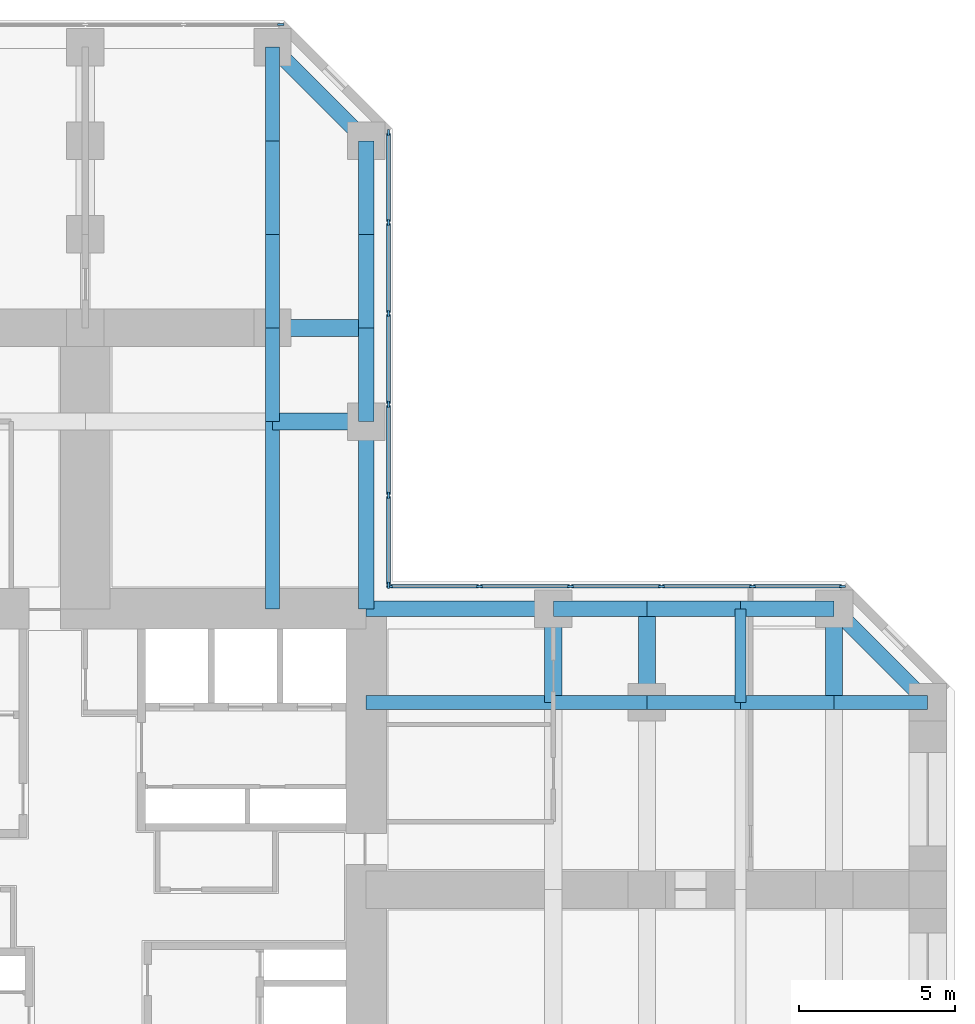
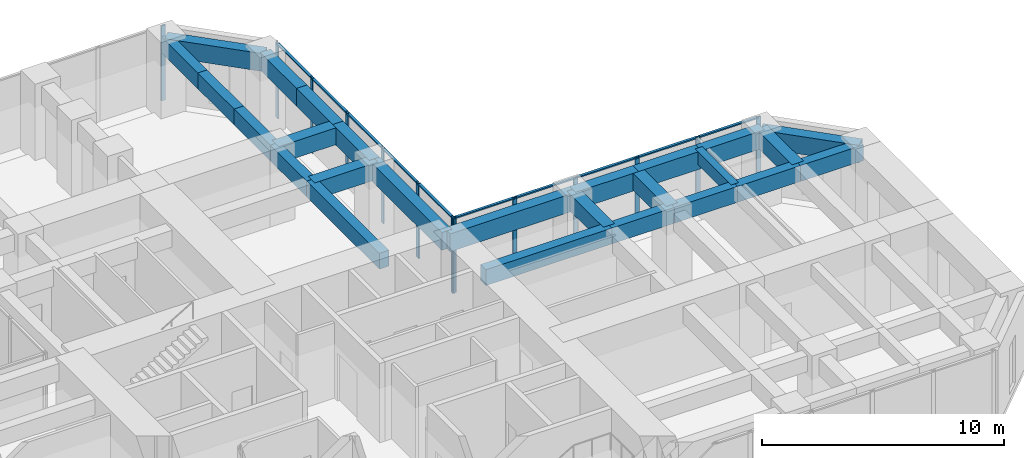
# One storey, part 6 of 12: 26 beams, 23 members, 3 elements without a shape of their own.
"""IFC4 building model written with IfcOpenShell, lengths in metres."""

from ifc_helpers import new_model, si_unit, direction, frame, origin, origin_2d, place, context, subcontext, project, spatial, rectangle, extrude, material, material_profile, profile_set, type_object, element, aggregate, save


model = new_model("IFC4")

# Units and contexts
model_context = context("Model", 3, precision=1e-05, world=origin(), true_north=direction((0.0, 1.0)))
body_context = subcontext(model_context, "Body", "Model", "MODEL_VIEW")
ifc_project = project(units=[si_unit("LENGTHUNIT", "METRE"), si_unit("AREAUNIT", "SQUARE_METRE"), si_unit("VOLUMEUNIT", "CUBIC_METRE"), si_unit("PLANEANGLEUNIT", "RADIAN"), si_unit("MASSUNIT", "GRAM", prefix="KILO")], contexts=[model_context])

# Site, building, storey
site_placement = place(None, origin())
site = spatial("IfcSite", under=ifc_project, at=site_placement, CompositionType="ELEMENT")
building_placement = place(site_placement, origin())
building = spatial("IfcBuilding", under=site, at=building_placement, Name="Torre Cruceta", CompositionType="ELEMENT")
storey_placement = place(building_placement, frame((0.0, 0.0, 67.5)))
storey = spatial("IfcBuildingStorey", under=building, at=storey_placement, Name="L16", CompositionType="ELEMENT", Elevation=67.5)

# Beams
ifc_material_1 = material(Name="Concrete G60 (fck 60 MPa)", Category="concrete")
ifc_material_profile_1 = material_profile(ifc_material_1, rectangle(XDim=0.449951171875, YDim=0.800048828125, at=origin_2d()), Name="RC 450X800")
ifc_profile_set_1 = profile_set([ifc_material_profile_1], Name="Concrete G60 (fck 60 MPa)")
beam_type_1 = type_object("IfcBeamType", Name="COLUMN LINE BEAM RC 450X800", PredefinedType="BEAM", material=ifc_profile_set_1)
beam_1_placement = place(storey_placement, frame((6.0, 9.0, 3.39990234375), z_axis=(0.0, 1.0, 0.0), x_axis=(-1.0, 0.0, 0.0)))
element("IfcBeam", 1, at=beam_1_placement, inside=storey, type_object=beam_type_1, Name="LB1 L16 N col- 1", PredefinedType="BEAM", context=body_context, shape_type="SweptSolid", body=[
    extrude(rectangle(XDim=0.449951171875, YDim=0.800048828125, at=origin_2d()), origin(), (0.0, 0.0, 1.0), 6.0),
])
for number, where, z_axis, x_axis, name in (
    (2, (6.0, 15.0, 3.39990234375), (0.0, 1.0, 0.0), (-1.0, 0.0, 0.0), "LB1 L16 N col- 2"),
    (3, (6.0, 18.0, 3.39990234375), (0.0, 1.0, 0.0), (-1.0, 0.0, 0.0), "LB1 L16 N col- 3"),
    (4, (6.0, 21.0, 3.39990234375), (0.0, 1.0, 0.0), (-1.0, 0.0, 0.0), "LB1 L16 N col- 4"),
    (5, (6.0, 24.0, 3.39990234375), (0.0, 1.0, 0.0), (-1.0, 0.0, 0.0), "LB1 L16 N col- 5"),
):
    element("IfcBeam", number, at=place(storey_placement, frame(where, z_axis=z_axis, x_axis=x_axis)), inside=storey, type_object=beam_type_1, Name=name, PredefinedType="BEAM", context=body_context, shape_type="SweptSolid", body=[
        extrude(rectangle(XDim=0.449951171875, YDim=0.800048828125, at=origin_2d()), origin(), (0.0, 0.0, 1.0), 3.0),
    ])
beam_2_placement = place(storey_placement, frame((9.0, 6.0, 3.39990234375), z_axis=(1.0, 0.0, 0.0), x_axis=(0.0, 1.0, 0.0)))
element("IfcBeam", 6, at=beam_2_placement, inside=storey, type_object=beam_type_1, Name="LB1 L16 E col+ 1", PredefinedType="BEAM", context=body_context, shape_type="SweptSolid", body=[
    extrude(rectangle(XDim=0.449951171875, YDim=0.800048828125, at=origin_2d()), origin(), (0.0, 0.0, 1.0), 6.0),
])
for number, where, z_axis, x_axis, name in (
    (7, (15.0, 6.0, 3.39990234375), (1.0, 0.0, 0.0), (0.0, 1.0, 0.0), "LB1 L16 E col+ 2"),
    (8, (18.0, 6.0, 3.39990234375), (1.0, 0.0, 0.0), (0.0, 1.0, 0.0), "LB1 L16 E col+ 3"),
    (9, (21.0, 6.0, 3.39990234375), (1.0, 0.0, 0.0), (0.0, 1.0, 0.0), "LB1 L16 E col+ 4"),
    (10, (24.0, 6.0, 3.39990234375), (1.0, 0.0, 0.0), (0.0, 1.0, 0.0), "LB1 L16 E col+ 5"),
):
    element("IfcBeam", number, at=place(storey_placement, frame(where, z_axis=z_axis, x_axis=x_axis)), inside=storey, type_object=beam_type_1, Name=name, PredefinedType="BEAM", context=body_context, shape_type="SweptSolid", body=[
        extrude(rectangle(XDim=0.449951171875, YDim=0.800048828125, at=origin_2d()), origin(), (0.0, 0.0, 1.0), 3.0),
    ])
ifc_material_2 = material(Name="Concrete G60 (fck 60 MPa)", Category="concrete")
ifc_material_profile_2 = material_profile(ifc_material_2, rectangle(XDim=0.550048828125, YDim=0.85009765625, at=origin_2d()), Name="RC 550X850")
ifc_profile_set_2 = profile_set([ifc_material_profile_2], Name="Concrete G60 (fck 60 MPa)")
beam_type_2 = type_object("IfcBeamType", Name="CROSS BEAM RC 550X850", PredefinedType="BEAM", material=ifc_profile_set_2)
for number, where, z_axis, x_axis, name in (
    (11, (9.0, 15.0, 3.375), (-1.0, 0.0, 0.0), (0.0, -1.0, 0.0), "GB4 L16 N cross15 1"),
    (12, (9.0, 18.0, 3.375), (-1.0, 0.0, 0.0), (0.0, -1.0, 0.0), "GB4 L16 N cross18 1"),
    (13, (15.0, 6.0, 3.375), (0.0, 1.0, 0.0), (-1.0, 0.0, 0.0), "GB4 L16 E cross15 4"),
    (14, (18.0, 6.0, 3.375), (0.0, 1.0, 0.0), (-1.0, 0.0, 0.0), "GB4 L16 E cross18 4"),
    (15, (24.0, 6.0, 3.375), (0.0, 1.0, 0.0), (-1.0, 0.0, 0.0), "GB4 L16 E cross24 4"),
):
    element("IfcBeam", number, at=place(storey_placement, frame(where, z_axis=z_axis, x_axis=x_axis)), inside=storey, type_object=beam_type_2, Name=name, PredefinedType="BEAM", context=body_context, shape_type="SweptSolid", body=[
        extrude(rectangle(XDim=0.550048828125, YDim=0.85009765625, at=origin_2d()), origin(), (0.0, 0.0, 1.0), 3.0),
    ])

# Curtain wall, members
ifc_material_3 = material(Name="Aluminium unitised curtain wall", Category="aluminium")
curtain_wall_type = type_object("IfcCurtainWallType", Name="CURTAIN WALL CW-A OFFICE LOW RISE", PredefinedType="USERDEFINED", material=ifc_material_3)
curtain_wall_1_placement = place(storey_placement, origin())
curtain_wall_1 = element("IfcCurtainWall", 16, at=curtain_wall_1_placement, inside=storey, type_object=curtain_wall_type, Name="CW-A L16 E side 04", ObjectType="UNITISED", PredefinedType="USERDEFINED")
ifc_material_4 = material(Name="Aluminium mullion", Category="aluminium")
ifc_material_profile_3 = material_profile(ifc_material_4, rectangle(XDim=0.06494140625, YDim=0.199951171875, at=origin_2d()), Name="AL 65X200")
ifc_profile_set_3 = profile_set([ifc_material_profile_3], Name="Aluminium mullion")
member_type_1 = type_object("IfcMemberType", Name="CW-A MULLION 65X200", PredefinedType="MULLION", material=ifc_profile_set_3)
member_1_placement = place(storey_placement, frame((24.265625, 9.719970703125, 0.0), z_axis=(0.0, 0.0, 1.0), x_axis=(0.0, -1.0, 0.0)))
member_1 = element("IfcMember", 17, at=member_1_placement, type_object=member_type_1, Name="CW-A mullion 1", PredefinedType="MULLION", context=body_context, shape_type="SweptSolid", body=[
    extrude(rectangle(XDim=0.06494140625, YDim=0.199951171875, at=origin_2d()), origin(), (0.0, 0.0, 1.0), 3.800048828125),
])
member_2_placement = place(storey_placement, frame((21.382568359375, 9.719970703125, 0.0), z_axis=(0.0, 0.0, 1.0), x_axis=(0.0, -1.0, 0.0)))
member_2 = element("IfcMember", 18, at=member_2_placement, type_object=member_type_1, Name="CW-A mullion 2", PredefinedType="MULLION", context=body_context, shape_type="SweptSolid", body=[
    extrude(rectangle(XDim=0.06494140625, YDim=0.199951171875, at=origin_2d()), origin(), (0.0, 0.0, 1.0), 3.800048828125),
])
member_3_placement = place(storey_placement, frame((18.467041015625, 9.719970703125, 0.0), z_axis=(0.0, 0.0, 1.0), x_axis=(0.0, -1.0, 0.0)))
member_3 = element("IfcMember", 19, at=member_3_placement, type_object=member_type_1, Name="CW-A mullion 3", PredefinedType="MULLION", context=body_context, shape_type="SweptSolid", body=[
    extrude(rectangle(XDim=0.06494140625, YDim=0.199951171875, at=origin_2d()), origin(), (0.0, 0.0, 1.0), 3.800048828125),
])
member_4_placement = place(storey_placement, frame((15.55126953125, 9.719970703125, 0.0), z_axis=(0.0, 0.0, 1.0), x_axis=(0.0, -1.0, 0.0)))
member_4 = element("IfcMember", 20, at=member_4_placement, type_object=member_type_1, Name="CW-A mullion 4", PredefinedType="MULLION", context=body_context, shape_type="SweptSolid", body=[
    extrude(rectangle(XDim=0.06494140625, YDim=0.199951171875, at=origin_2d()), origin(), (0.0, 0.0, 1.0), 3.800048828125),
])
member_5_placement = place(storey_placement, frame((12.6357421875, 9.719970703125, 0.0), z_axis=(0.0, 0.0, 1.0), x_axis=(0.0, -1.0, 0.0)))
member_5 = element("IfcMember", 21, at=member_5_placement, type_object=member_type_1, Name="CW-A mullion 5", PredefinedType="MULLION", context=body_context, shape_type="SweptSolid", body=[
    extrude(rectangle(XDim=0.06494140625, YDim=0.199951171875, at=origin_2d()), origin(), (0.0, 0.0, 1.0), 3.800048828125),
])
member_6_placement = place(storey_placement, frame((9.75244140625, 9.719970703125, 0.0), z_axis=(0.0, 0.0, 1.0), x_axis=(0.0, -1.0, 0.0)))
member_6 = element("IfcMember", 22, at=member_6_placement, type_object=member_type_1, Name="CW-A mullion 6", PredefinedType="MULLION", context=body_context, shape_type="SweptSolid", body=[
    extrude(rectangle(XDim=0.06494140625, YDim=0.199951171875, at=origin_2d()), origin(), (0.0, 0.0, 1.0), 3.800048828125),
])

curtain_wall_2_placement = place(storey_placement, origin())
curtain_wall_2 = element("IfcCurtainWall", 23, at=curtain_wall_2_placement, inside=storey, type_object=curtain_wall_type, Name="CW-A L16 N side 05", ObjectType="UNITISED", PredefinedType="USERDEFINED")
member_7_placement = place(storey_placement, frame((9.719970703125, 9.75244140625, 0.0), z_axis=(0.0, 0.0, 1.0), x_axis=(-1.0, 0.0, 0.0)))
member_7 = element("IfcMember", 24, at=member_7_placement, type_object=member_type_1, Name="CW-A mullion 1", PredefinedType="MULLION", context=body_context, shape_type="SweptSolid", body=[
    extrude(rectangle(XDim=0.06494140625, YDim=0.199951171875, at=origin_2d()), origin(), (0.0, 0.0, 1.0), 3.800048828125),
])
member_8_placement = place(storey_placement, frame((9.719970703125, 12.6357421875, 0.0), z_axis=(0.0, 0.0, 1.0), x_axis=(-1.0, 0.0, 0.0)))
member_8 = element("IfcMember", 25, at=member_8_placement, type_object=member_type_1, Name="CW-A mullion 2", PredefinedType="MULLION", context=body_context, shape_type="SweptSolid", body=[
    extrude(rectangle(XDim=0.06494140625, YDim=0.199951171875, at=origin_2d()), origin(), (0.0, 0.0, 1.0), 3.800048828125),
])
member_9_placement = place(storey_placement, frame((9.719970703125, 15.55126953125, 0.0), z_axis=(0.0, 0.0, 1.0), x_axis=(-1.0, 0.0, 0.0)))
member_9 = element("IfcMember", 26, at=member_9_placement, type_object=member_type_1, Name="CW-A mullion 3", PredefinedType="MULLION", context=body_context, shape_type="SweptSolid", body=[
    extrude(rectangle(XDim=0.06494140625, YDim=0.199951171875, at=origin_2d()), origin(), (0.0, 0.0, 1.0), 3.800048828125),
])
member_10_placement = place(storey_placement, frame((9.719970703125, 18.467041015625, 0.0), z_axis=(0.0, 0.0, 1.0), x_axis=(-1.0, 0.0, 0.0)))
member_10 = element("IfcMember", 27, at=member_10_placement, type_object=member_type_1, Name="CW-A mullion 4", PredefinedType="MULLION", context=body_context, shape_type="SweptSolid", body=[
    extrude(rectangle(XDim=0.06494140625, YDim=0.199951171875, at=origin_2d()), origin(), (0.0, 0.0, 1.0), 3.800048828125),
])
member_11_placement = place(storey_placement, frame((9.719970703125, 21.382568359375, 0.0), z_axis=(0.0, 0.0, 1.0), x_axis=(-1.0, 0.0, 0.0)))
member_11 = element("IfcMember", 28, at=member_11_placement, type_object=member_type_1, Name="CW-A mullion 5", PredefinedType="MULLION", context=body_context, shape_type="SweptSolid", body=[
    extrude(rectangle(XDim=0.06494140625, YDim=0.199951171875, at=origin_2d()), origin(), (0.0, 0.0, 1.0), 3.800048828125),
])
member_12_placement = place(storey_placement, frame((9.719970703125, 24.265625, 0.0), z_axis=(0.0, 0.0, 1.0), x_axis=(-1.0, 0.0, 0.0)))
member_12 = element("IfcMember", 29, at=member_12_placement, type_object=member_type_1, Name="CW-A mullion 6", PredefinedType="MULLION", context=body_context, shape_type="SweptSolid", body=[
    extrude(rectangle(XDim=0.06494140625, YDim=0.199951171875, at=origin_2d()), origin(), (0.0, 0.0, 1.0), 3.800048828125),
])

# Curtain wall, member
curtain_wall_3_placement = place(storey_placement, origin())
curtain_wall_3 = element("IfcCurtainWall", 30, at=curtain_wall_3_placement, inside=storey, type_object=curtain_wall_type, Name="CW-A L16 N tip 07", ObjectType="UNITISED", PredefinedType="USERDEFINED")
member_13_placement = place(storey_placement, frame((6.265625, 27.719970703125, 0.0), z_axis=(0.0, 0.0, 1.0), x_axis=(0.0, -1.0, 0.0)))
member_13 = element("IfcMember", 31, at=member_13_placement, type_object=member_type_1, Name="CW-A mullion 1", PredefinedType="MULLION", context=body_context, shape_type="SweptSolid", body=[
    extrude(rectangle(XDim=0.06494140625, YDim=0.199951171875, at=origin_2d()), origin(), (0.0, 0.0, 1.0), 3.800048828125),
])
aggregate(curtain_wall_3, [member_13])

# Member
ifc_material_5 = material(Name="Aluminium transom", Category="aluminium")
ifc_material_profile_4 = material_profile(ifc_material_5, rectangle(XDim=0.1201171875, YDim=0.06494140625, at=origin_2d()), Name="AL 120X65")
ifc_profile_set_4 = profile_set([ifc_material_profile_4], Name="Aluminium transom")
member_type_2 = type_object("IfcMemberType", Name="CW-A TRANSOM 65X120", PredefinedType="USERDEFINED", material=ifc_profile_set_4)
member_14_placement = place(storey_placement, frame((24.233154296875, 9.719970703125, 3.767578125), z_axis=(-1.0, 0.0, 0.0), x_axis=(0.0, -1.0, 0.0)))
member_14 = element("IfcMember", 32, at=member_14_placement, type_object=member_type_2, Name="CW-A transom 1", ObjectType="TRANSOM", PredefinedType="USERDEFINED", context=body_context, shape_type="SweptSolid", body=[
    extrude(rectangle(XDim=0.1201171875, YDim=0.06494140625, at=origin_2d()), origin(), (0.0, 0.0, 1.0), 2.818115234375),
])

member_15_placement = place(storey_placement, frame((21.35009765625, 9.719970703125, 3.767578125), z_axis=(-1.0, 0.0, 0.0), x_axis=(0.0, -1.0, 0.0)))
member_15 = element("IfcMember", 33, at=member_15_placement, type_object=member_type_2, Name="CW-A transom 2", ObjectType="TRANSOM", PredefinedType="USERDEFINED", context=body_context, shape_type="SweptSolid", body=[
    extrude(rectangle(XDim=0.1201171875, YDim=0.06494140625, at=origin_2d()), origin(), (0.0, 0.0, 1.0), 2.8505859375),
])

member_16_placement = place(storey_placement, frame((18.434326171875, 9.719970703125, 3.767578125), z_axis=(-1.0, 0.0, 0.0), x_axis=(0.0, -1.0, 0.0)))
member_16 = element("IfcMember", 34, at=member_16_placement, type_object=member_type_2, Name="CW-A transom 3", ObjectType="TRANSOM", PredefinedType="USERDEFINED", context=body_context, shape_type="SweptSolid", body=[
    extrude(rectangle(XDim=0.1201171875, YDim=0.06494140625, at=origin_2d()), origin(), (0.0, 0.0, 1.0), 2.8505859375),
])

member_17_placement = place(storey_placement, frame((15.518798828125, 9.719970703125, 3.767578125), z_axis=(-1.0, 0.0, 0.0), x_axis=(0.0, -1.0, 0.0)))
member_17 = element("IfcMember", 35, at=member_17_placement, type_object=member_type_2, Name="CW-A transom 4", ObjectType="TRANSOM", PredefinedType="USERDEFINED", context=body_context, shape_type="SweptSolid", body=[
    extrude(rectangle(XDim=0.1201171875, YDim=0.06494140625, at=origin_2d()), origin(), (0.0, 0.0, 1.0), 2.8505859375),
])

member_18_placement = place(storey_placement, frame((12.60302734375, 9.719970703125, 3.767578125), z_axis=(-1.0, 0.0, 0.0), x_axis=(0.0, -1.0, 0.0)))
member_18 = element("IfcMember", 36, at=member_18_placement, type_object=member_type_2, Name="CW-A transom 5", ObjectType="TRANSOM", PredefinedType="USERDEFINED", context=body_context, shape_type="SweptSolid", body=[
    extrude(rectangle(XDim=0.1201171875, YDim=0.06494140625, at=origin_2d()), origin(), (0.0, 0.0, 1.0), 2.818115234375),
])

aggregate(curtain_wall_1, [member_1, member_2, member_3, member_4, member_5, member_6, member_14, member_15, member_16, member_17, member_18])

member_19_placement = place(storey_placement, frame((9.719970703125, 9.784912109375, 3.767578125), z_axis=(0.0, 1.0, 0.0), x_axis=(-1.0, 0.0, 0.0)))
member_19 = element("IfcMember", 37, at=member_19_placement, type_object=member_type_2, Name="CW-A transom 1", ObjectType="TRANSOM", PredefinedType="USERDEFINED", context=body_context, shape_type="SweptSolid", body=[
    extrude(rectangle(XDim=0.1201171875, YDim=0.06494140625, at=origin_2d()), origin(), (0.0, 0.0, 1.0), 2.818115234375),
])

member_20_placement = place(storey_placement, frame((9.719970703125, 12.668212890625, 3.767578125), z_axis=(0.0, 1.0, 0.0), x_axis=(-1.0, 0.0, 0.0)))
member_20 = element("IfcMember", 38, at=member_20_placement, type_object=member_type_2, Name="CW-A transom 2", ObjectType="TRANSOM", PredefinedType="USERDEFINED", context=body_context, shape_type="SweptSolid", body=[
    extrude(rectangle(XDim=0.1201171875, YDim=0.06494140625, at=origin_2d()), origin(), (0.0, 0.0, 1.0), 2.8505859375),
])

member_21_placement = place(storey_placement, frame((9.719970703125, 15.583740234375, 3.767578125), z_axis=(0.0, 1.0, 0.0), x_axis=(-1.0, 0.0, 0.0)))
member_21 = element("IfcMember", 39, at=member_21_placement, type_object=member_type_2, Name="CW-A transom 3", ObjectType="TRANSOM", PredefinedType="USERDEFINED", context=body_context, shape_type="SweptSolid", body=[
    extrude(rectangle(XDim=0.1201171875, YDim=0.06494140625, at=origin_2d()), origin(), (0.0, 0.0, 1.0), 2.8505859375),
])

member_22_placement = place(storey_placement, frame((9.719970703125, 18.49951171875, 3.767578125), z_axis=(0.0, 1.0, 0.0), x_axis=(-1.0, 0.0, 0.0)))
member_22 = element("IfcMember", 40, at=member_22_placement, type_object=member_type_2, Name="CW-A transom 4", ObjectType="TRANSOM", PredefinedType="USERDEFINED", context=body_context, shape_type="SweptSolid", body=[
    extrude(rectangle(XDim=0.1201171875, YDim=0.06494140625, at=origin_2d()), origin(), (0.0, 0.0, 1.0), 2.8505859375),
])

member_23_placement = place(storey_placement, frame((9.719970703125, 21.4150390625, 3.767578125), z_axis=(0.0, 1.0, 0.0), x_axis=(-1.0, 0.0, 0.0)))
member_23 = element("IfcMember", 41, at=member_23_placement, type_object=member_type_2, Name="CW-A transom 5", ObjectType="TRANSOM", PredefinedType="USERDEFINED", context=body_context, shape_type="SweptSolid", body=[
    extrude(rectangle(XDim=0.1201171875, YDim=0.06494140625, at=origin_2d()), origin(), (0.0, 0.0, 1.0), 2.818115234375),
])

aggregate(curtain_wall_2, [member_7, member_8, member_9, member_10, member_11, member_12, member_19, member_20, member_21, member_22, member_23])

# Beams
ifc_material_6 = material(Name="Concrete G60 (fck 60 MPa)", Category="concrete")
ifc_material_profile_5 = material_profile(ifc_material_6, rectangle(XDim=0.35009765625, YDim=0.64990234375, at=origin_2d()), Name="RC 350X650")
ifc_profile_set_5 = profile_set([ifc_material_profile_5], Name="Concrete G60 (fck 60 MPa)")
beam_type_3 = type_object("IfcBeamType", Name="SECONDARY BEAM RC 350X650", PredefinedType="JOIST", material=ifc_profile_set_5)
beam_3_placement = place(storey_placement, frame((21.0, 6.0, 3.47509765625), z_axis=(0.0, 1.0, 0.0), x_axis=(-1.0, 0.0, 0.0)))
element("IfcBeam", 42, at=beam_3_placement, inside=storey, type_object=beam_type_3, Name="JB3 L16 E sec21 4", PredefinedType="JOIST", context=body_context, shape_type="SweptSolid", body=[
    extrude(rectangle(XDim=0.35009765625, YDim=0.64990234375, at=origin_2d()), origin(), (0.0, 0.0, 1.0), 3.0),
])
ifc_material_7 = material(Name="Concrete G60 (fck 60 MPa)", Category="concrete")
ifc_material_profile_6 = material_profile(ifc_material_7, rectangle(XDim=0.5, YDim=0.89990234375, at=origin_2d()), Name="RC 500X900")
ifc_profile_set_6 = profile_set([ifc_material_profile_6], Name="Concrete G60 (fck 60 MPa)")
beam_type_4 = type_object("IfcBeamType", Name="SPANDREL BEAM RC 500X900", PredefinedType="SPANDREL", material=ifc_profile_set_6)
beam_4_placement = place(storey_placement, frame((9.0, 9.0, 3.35009765625), z_axis=(0.0, 1.0, 0.0), x_axis=(-1.0, 0.0, 0.0)))
element("IfcBeam", 43, at=beam_4_placement, inside=storey, type_object=beam_type_4, Name="SB4 L16 N side- 1", PredefinedType="SPANDREL", context=body_context, shape_type="SweptSolid", body=[
    extrude(rectangle(XDim=0.5, YDim=0.89990234375, at=origin_2d()), origin(), (0.0, 0.0, 1.0), 6.0),
])
for number, where, z_axis, x_axis, name in (
    (44, (9.0, 15.0, 3.35009765625), (0.0, 1.0, 0.0), (-1.0, 0.0, 0.0), "SB4 L16 N side- 2"),
    (45, (9.0, 18.0, 3.35009765625), (0.0, 1.0, 0.0), (-1.0, 0.0, 0.0), "SB4 L16 N side- 3"),
    (46, (9.0, 21.0, 3.35009765625), (0.0, 1.0, 0.0), (-1.0, 0.0, 0.0), "SB4 L16 N side- 4"),
):
    element("IfcBeam", number, at=place(storey_placement, frame(where, z_axis=z_axis, x_axis=x_axis)), inside=storey, type_object=beam_type_4, Name=name, PredefinedType="SPANDREL", context=body_context, shape_type="SweptSolid", body=[
        extrude(rectangle(XDim=0.5, YDim=0.89990234375, at=origin_2d()), origin(), (0.0, 0.0, 1.0), 3.0),
    ])
beam_5_placement = place(storey_placement, frame((9.0, 24.0, 3.35009765625), z_axis=(-0.707106781187, 0.707106781187, 0.0), x_axis=(-0.707106781187, -0.707106781187, 0.0)))
element("IfcBeam", 47, at=beam_5_placement, inside=storey, type_object=beam_type_4, Name="SB4 L16 N side- 5", PredefinedType="SPANDREL", context=body_context, shape_type="SweptSolid", body=[
    extrude(rectangle(XDim=0.5, YDim=0.89990234375, at=origin_2d()), origin(), (0.0, 0.0, 1.0), 4.24267578125),
])
beam_6_placement = place(storey_placement, frame((9.0, 9.0, 3.35009765625), z_axis=(1.0, 0.0, 0.0), x_axis=(0.0, 1.0, 0.0)))
element("IfcBeam", 48, at=beam_6_placement, inside=storey, type_object=beam_type_4, Name="SB4 L16 E side+ 1", PredefinedType="SPANDREL", context=body_context, shape_type="SweptSolid", body=[
    extrude(rectangle(XDim=0.5, YDim=0.89990234375, at=origin_2d()), origin(), (0.0, 0.0, 1.0), 6.0),
])
for number, where, z_axis, x_axis, name in (
    (49, (15.0, 9.0, 3.35009765625), (1.0, 0.0, 0.0), (0.0, 1.0, 0.0), "SB4 L16 E side+ 2"),
    (50, (18.0, 9.0, 3.35009765625), (1.0, 0.0, 0.0), (0.0, 1.0, 0.0), "SB4 L16 E side+ 3"),
    (51, (21.0, 9.0, 3.35009765625), (1.0, 0.0, 0.0), (0.0, 1.0, 0.0), "SB4 L16 E side+ 4"),
):
    element("IfcBeam", number, at=place(storey_placement, frame(where, z_axis=z_axis, x_axis=x_axis)), inside=storey, type_object=beam_type_4, Name=name, PredefinedType="SPANDREL", context=body_context, shape_type="SweptSolid", body=[
        extrude(rectangle(XDim=0.5, YDim=0.89990234375, at=origin_2d()), origin(), (0.0, 0.0, 1.0), 3.0),
    ])
beam_7_placement = place(storey_placement, frame((24.0, 9.0, 3.35009765625), z_axis=(0.707106781187, -0.707106781187, 0.0), x_axis=(0.707106781187, 0.707106781187, 0.0)))
element("IfcBeam", 52, at=beam_7_placement, inside=storey, type_object=beam_type_4, Name="SB4 L16 E side+ 5", PredefinedType="SPANDREL", context=body_context, shape_type="SweptSolid", body=[
    extrude(rectangle(XDim=0.5, YDim=0.89990234375, at=origin_2d()), origin(), (0.0, 0.0, 1.0), 4.24267578125),
])

save(model, "model.ifc")
